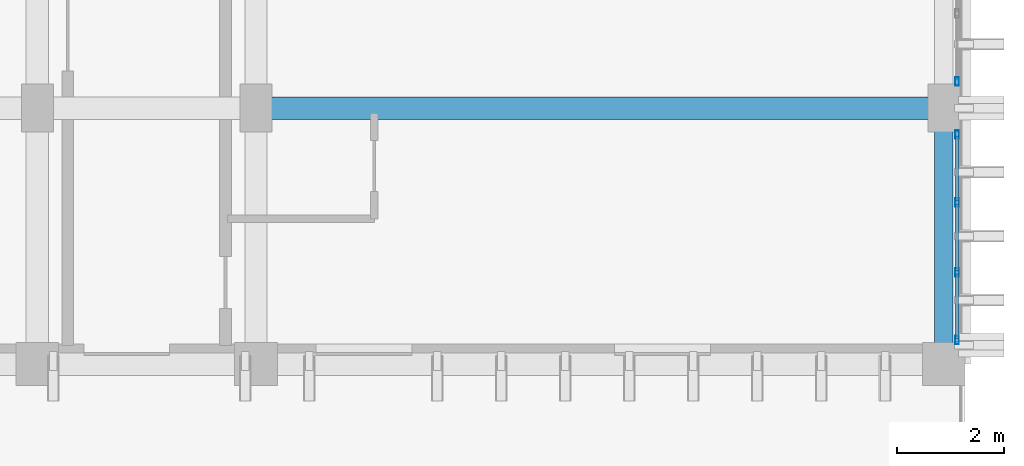
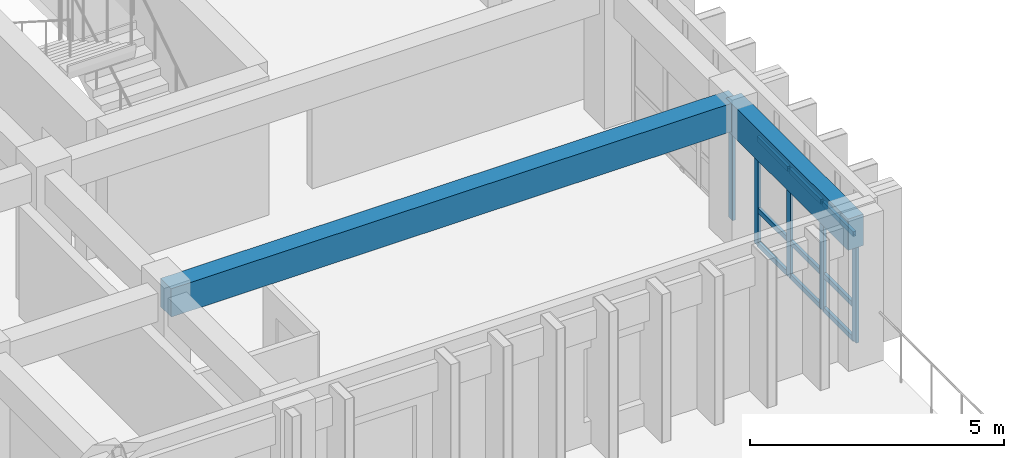
# One storey, part 4 of 82: 14 members, 2 beams, 2 elements without a shape of their own.
"""IFC4 building model written with IfcOpenShell, lengths in metres."""

from ifc_helpers import new_model, si_unit, direction, frame, origin, origin_2d, place, context, subcontext, project, spatial, rectangle, hollow_rectangle, extrude, material, layer, layer_set, material_profile, profile_set, type_object, element, aggregate, save


model = new_model("IFC4")

# Units and contexts
model_context = context("Model", 3, precision=1e-05, world=origin(), true_north=direction((0.0, 1.0)))
body_context = subcontext(model_context, "Body", "Model", "MODEL_VIEW")
ifc_project = project(units=[si_unit("LENGTHUNIT", "METRE"), si_unit("AREAUNIT", "SQUARE_METRE"), si_unit("VOLUMEUNIT", "CUBIC_METRE"), si_unit("PLANEANGLEUNIT", "RADIAN"), si_unit("MASSUNIT", "GRAM", prefix="KILO")], contexts=[model_context])

# Site, building, storey
site_placement = place(None, origin())
site = spatial("IfcSite", under=ifc_project, at=site_placement, CompositionType="ELEMENT")
building_placement = place(site_placement, origin())
building = spatial("IfcBuilding", under=site, at=building_placement, Name="Nakhvara Creek Congress Hotel", CompositionType="ELEMENT")
storey_placement = place(building_placement, frame((0.0, 0.0, 21.0)))
storey = spatial("IfcBuildingStorey", under=building, at=storey_placement, Name="L04", CompositionType="ELEMENT", Elevation=21.0)

# Beams
ifc_material_1 = material(Name="Concrete C40/50", Category="concrete")
ifc_material_profile_1 = material_profile(ifc_material_1, rectangle(XDim=0.419921875, YDim=0.679931640625, at=origin_2d()), Name="RC-BM 420x680", Category="LoadBearing")
ifc_profile_set_1 = profile_set([ifc_material_profile_1], Name="Concrete C40/50")
beam_type_1 = type_object("IfcBeamType", Name="BM-RC-420X680", PredefinedType="BEAM", material=ifc_profile_set_1)
beam_1_placement = place(storey_placement, frame((166.449951171875, 24.0, 3.0), z_axis=(1.0, 0.0, 0.0), x_axis=(0.0, 1.0, 0.0)))
element("IfcBeam", 1, at=beam_1_placement, inside=storey, type_object=beam_type_1, Name="Beam B11-L04-2049", PredefinedType="BEAM", context=body_context, shape_type="SweptSolid", body=[
    extrude(rectangle(XDim=0.419921875, YDim=0.679931640625, at=origin_2d()), origin(), (0.0, 0.0, 1.0), 12.900146484375),
])
ifc_material_profile_2 = material_profile(ifc_material_1, rectangle(XDim=0.35009765625, YDim=0.75, at=origin_2d()), Name="RC-SPANDREL 350x750", Category="LoadBearing")
ifc_profile_set_2 = profile_set([ifc_material_profile_2], Name="Concrete C40/50")
beam_type_2 = type_object("IfcBeamType", Name="BM-SPN-350X750", PredefinedType="SPANDREL", material=ifc_profile_set_2)
beam_2_placement = place(storey_placement, frame((179.35009765625, 19.199951171875, 2.965087890625), z_axis=(0.0, 1.0, 0.0), x_axis=(-1.0, 0.0, 0.0)))
element("IfcBeam", 2, at=beam_2_placement, inside=storey, type_object=beam_type_2, Name="Beam SP1-L04-2007", PredefinedType="SPANDREL", context=body_context, shape_type="SweptSolid", body=[
    extrude(rectangle(XDim=0.35009765625, YDim=0.75, at=origin_2d()), origin(), (0.0, 0.0, 1.0), 4.800048828125),
])

# Curtain wall, members
ifc_material_2 = material(Name="Bronze-anodised aluminium AW-6063-T6 and double-silver low-E glass", Category="aluminium")
ifc_layer = layer(ifc_material_2, 0.199951171875)
ifc_layer_set = layer_set([ifc_layer], Name="Bronze-anodised aluminium AW-6063-T6 and double-silver low-E glass")
curtain_wall_type = type_object("IfcCurtainWallType", Name="CW-HTL-UNIT", PredefinedType="USERDEFINED", material=ifc_layer_set)
curtain_wall_1_placement = place(storey_placement, origin())
curtain_wall_1 = element("IfcCurtainWall", 3, at=curtain_wall_1_placement, inside=storey, type_object=curtain_wall_type, Name="Curtain Wall CW172", ObjectType="UNITISED", PredefinedType="USERDEFINED")
ifc_material_3 = material(Name="Bronze-anodised aluminium AW-6063-T6", Category="aluminium")
ifc_material_profile_3 = material_profile(ifc_material_3, hollow_rectangle(XDim=0.06494140625, YDim=0.159912109375, WallThickness=0.00390625, at=origin_2d()), Name="ALU-MULL 65x160x4", Category="LoadBearing")
ifc_profile_set_3 = profile_set([ifc_material_profile_3], Name="Bronze-anodised aluminium AW-6063-T6")
member_type_1 = type_object("IfcMemberType", Name="CW-MULL-160", PredefinedType="MULLION", material=ifc_profile_set_3)
member_1_placement = place(storey_placement, frame((179.60009765625, 23.50244140625, 0.0), z_axis=(0.0, 0.0, 1.0), x_axis=(1.0, 0.0, 0.0)))
member_1 = element("IfcMember", 4, at=member_1_placement, type_object=member_type_1, Name="CW172 mullion 1", PredefinedType="MULLION", context=body_context, shape_type="SweptSolid", body=[
    extrude(hollow_rectangle(XDim=0.06494140625, YDim=0.159912109375, WallThickness=0.00390625, at=origin_2d()), origin(), (0.0, 0.0, 1.0), 2.58203125),
])
member_2_placement = place(storey_placement, frame((179.60009765625, 22.228271484375, 0.0), z_axis=(0.0, 0.0, 1.0), x_axis=(1.0, 0.0, 0.0)))
member_2 = element("IfcMember", 5, at=member_2_placement, type_object=member_type_1, Name="CW172 mullion 2", PredefinedType="MULLION", context=body_context, shape_type="SweptSolid", body=[
    extrude(hollow_rectangle(XDim=0.06494140625, YDim=0.159912109375, WallThickness=0.00390625, at=origin_2d()), origin(), (0.0, 0.0, 1.0), 2.58203125),
])
member_3_placement = place(storey_placement, frame((179.60009765625, 20.921630859375, 0.0), z_axis=(0.0, 0.0, 1.0), x_axis=(1.0, 0.0, 0.0)))
member_3 = element("IfcMember", 6, at=member_3_placement, type_object=member_type_1, Name="CW172 mullion 3", PredefinedType="MULLION", context=body_context, shape_type="SweptSolid", body=[
    extrude(hollow_rectangle(XDim=0.06494140625, YDim=0.159912109375, WallThickness=0.00390625, at=origin_2d()), origin(), (0.0, 0.0, 1.0), 2.58203125),
])
member_4_placement = place(storey_placement, frame((179.60009765625, 19.6474609375, 0.0), z_axis=(0.0, 0.0, 1.0), x_axis=(1.0, 0.0, 0.0)))
member_4 = element("IfcMember", 7, at=member_4_placement, type_object=member_type_1, Name="CW172 mullion 4", PredefinedType="MULLION", context=body_context, shape_type="SweptSolid", body=[
    extrude(hollow_rectangle(XDim=0.06494140625, YDim=0.159912109375, WallThickness=0.00390625, at=origin_2d()), origin(), (0.0, 0.0, 1.0), 2.58203125),
])

# Curtain wall, member
curtain_wall_2_placement = place(storey_placement, origin())
curtain_wall_2 = element("IfcCurtainWall", 8, at=curtain_wall_2_placement, inside=storey, type_object=curtain_wall_type, Name="Curtain Wall CW174", ObjectType="UNITISED", PredefinedType="USERDEFINED")
member_5_placement = place(storey_placement, frame((179.60009765625, 24.49755859375, 0.0), z_axis=(0.0, 0.0, 1.0), x_axis=(1.0, 0.0, 0.0)))
member_5 = element("IfcMember", 9, at=member_5_placement, type_object=member_type_1, Name="CW174 mullion 4", PredefinedType="MULLION", context=body_context, shape_type="SweptSolid", body=[
    extrude(hollow_rectangle(XDim=0.06494140625, YDim=0.159912109375, WallThickness=0.00390625, at=origin_2d()), origin(), (0.0, 0.0, 1.0), 2.58203125),
])
aggregate(curtain_wall_2, [member_5])

# Member
ifc_material_profile_4 = material_profile(ifc_material_3, hollow_rectangle(XDim=0.06494140625, YDim=0.1201171875, WallThickness=0.00390625, at=origin_2d()), Name="ALU-TRAN 65x120x4", Category="LoadBearing")
ifc_profile_set_4 = profile_set([ifc_material_profile_4], Name="Bronze-anodised aluminium AW-6063-T6")
member_type_2 = type_object("IfcMemberType", Name="CW-TRAN-120", PredefinedType="USERDEFINED", material=ifc_profile_set_4)
member_6_placement = place(storey_placement, frame((179.60009765625, 23.469970703125, 0.032470703125), z_axis=(0.0, -1.0, 0.0), x_axis=(1.0, 0.0, 0.0)))
member_6 = element("IfcMember", 10, at=member_6_placement, type_object=member_type_2, Name="CW172 transom 1.1", ObjectType="TRANSOM", PredefinedType="USERDEFINED", context=body_context, shape_type="SweptSolid", body=[
    extrude(hollow_rectangle(XDim=0.06494140625, YDim=0.1201171875, WallThickness=0.00390625, at=origin_2d()), origin(), (0.0, 0.0, 1.0), 1.209228515625),
])

member_7_placement = place(storey_placement, frame((179.60009765625, 23.469970703125, 0.85009765625), z_axis=(0.0, -1.0, 0.0), x_axis=(1.0, 0.0, 0.0)))
member_7 = element("IfcMember", 11, at=member_7_placement, type_object=member_type_2, Name="CW172 transom 1.2", ObjectType="TRANSOM", PredefinedType="USERDEFINED", context=body_context, shape_type="SweptSolid", body=[
    extrude(hollow_rectangle(XDim=0.06494140625, YDim=0.1201171875, WallThickness=0.00390625, at=origin_2d()), origin(), (0.0, 0.0, 1.0), 1.209228515625),
])

member_8_placement = place(storey_placement, frame((179.60009765625, 23.469970703125, 2.549560546875), z_axis=(0.0, -1.0, 0.0), x_axis=(1.0, 0.0, 0.0)))
member_8 = element("IfcMember", 12, at=member_8_placement, type_object=member_type_2, Name="CW172 transom 1.3", ObjectType="TRANSOM", PredefinedType="USERDEFINED", context=body_context, shape_type="SweptSolid", body=[
    extrude(hollow_rectangle(XDim=0.06494140625, YDim=0.1201171875, WallThickness=0.00390625, at=origin_2d()), origin(), (0.0, 0.0, 1.0), 1.209228515625),
])

member_9_placement = place(storey_placement, frame((179.60009765625, 22.19580078125, 0.032470703125), z_axis=(0.0, -1.0, 0.0), x_axis=(1.0, 0.0, 0.0)))
member_9 = element("IfcMember", 13, at=member_9_placement, type_object=member_type_2, Name="CW172 transom 2.1", ObjectType="TRANSOM", PredefinedType="USERDEFINED", context=body_context, shape_type="SweptSolid", body=[
    extrude(hollow_rectangle(XDim=0.06494140625, YDim=0.1201171875, WallThickness=0.00390625, at=origin_2d()), origin(), (0.0, 0.0, 1.0), 1.24169921875),
])

member_10_placement = place(storey_placement, frame((179.60009765625, 22.19580078125, 0.85009765625), z_axis=(0.0, -1.0, 0.0), x_axis=(1.0, 0.0, 0.0)))
member_10 = element("IfcMember", 14, at=member_10_placement, type_object=member_type_2, Name="CW172 transom 2.2", ObjectType="TRANSOM", PredefinedType="USERDEFINED", context=body_context, shape_type="SweptSolid", body=[
    extrude(hollow_rectangle(XDim=0.06494140625, YDim=0.1201171875, WallThickness=0.00390625, at=origin_2d()), origin(), (0.0, 0.0, 1.0), 1.24169921875),
])

member_11_placement = place(storey_placement, frame((179.60009765625, 22.19580078125, 2.549560546875), z_axis=(0.0, -1.0, 0.0), x_axis=(1.0, 0.0, 0.0)))
member_11 = element("IfcMember", 15, at=member_11_placement, type_object=member_type_2, Name="CW172 transom 2.3", ObjectType="TRANSOM", PredefinedType="USERDEFINED", context=body_context, shape_type="SweptSolid", body=[
    extrude(hollow_rectangle(XDim=0.06494140625, YDim=0.1201171875, WallThickness=0.00390625, at=origin_2d()), origin(), (0.0, 0.0, 1.0), 1.24169921875),
])

member_12_placement = place(storey_placement, frame((179.60009765625, 20.88916015625, 0.032470703125), z_axis=(0.0, -1.0, 0.0), x_axis=(1.0, 0.0, 0.0)))
member_12 = element("IfcMember", 16, at=member_12_placement, type_object=member_type_2, Name="CW172 transom 3.1", ObjectType="TRANSOM", PredefinedType="USERDEFINED", context=body_context, shape_type="SweptSolid", body=[
    extrude(hollow_rectangle(XDim=0.06494140625, YDim=0.1201171875, WallThickness=0.00390625, at=origin_2d()), origin(), (0.0, 0.0, 1.0), 1.209228515625),
])

member_13_placement = place(storey_placement, frame((179.60009765625, 20.88916015625, 0.85009765625), z_axis=(0.0, -1.0, 0.0), x_axis=(1.0, 0.0, 0.0)))
member_13 = element("IfcMember", 17, at=member_13_placement, type_object=member_type_2, Name="CW172 transom 3.2", ObjectType="TRANSOM", PredefinedType="USERDEFINED", context=body_context, shape_type="SweptSolid", body=[
    extrude(hollow_rectangle(XDim=0.06494140625, YDim=0.1201171875, WallThickness=0.00390625, at=origin_2d()), origin(), (0.0, 0.0, 1.0), 1.209228515625),
])

member_14_placement = place(storey_placement, frame((179.60009765625, 20.88916015625, 2.549560546875), z_axis=(0.0, -1.0, 0.0), x_axis=(1.0, 0.0, 0.0)))
member_14 = element("IfcMember", 18, at=member_14_placement, type_object=member_type_2, Name="CW172 transom 3.3", ObjectType="TRANSOM", PredefinedType="USERDEFINED", context=body_context, shape_type="SweptSolid", body=[
    extrude(hollow_rectangle(XDim=0.06494140625, YDim=0.1201171875, WallThickness=0.00390625, at=origin_2d()), origin(), (0.0, 0.0, 1.0), 1.209228515625),
])

aggregate(curtain_wall_1, [member_1, member_2, member_3, member_4, member_6, member_7, member_8, member_9, member_10, member_11, member_12, member_13, member_14])

save(model, "model.ifc")
